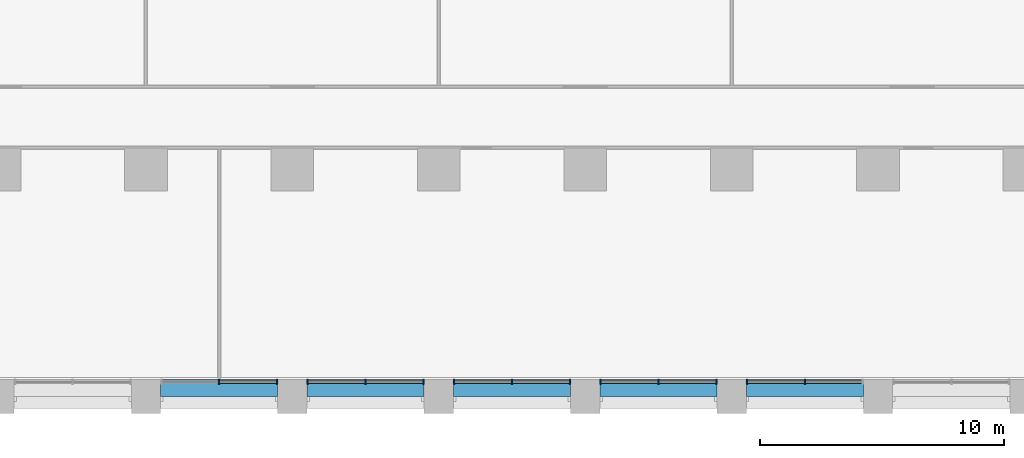
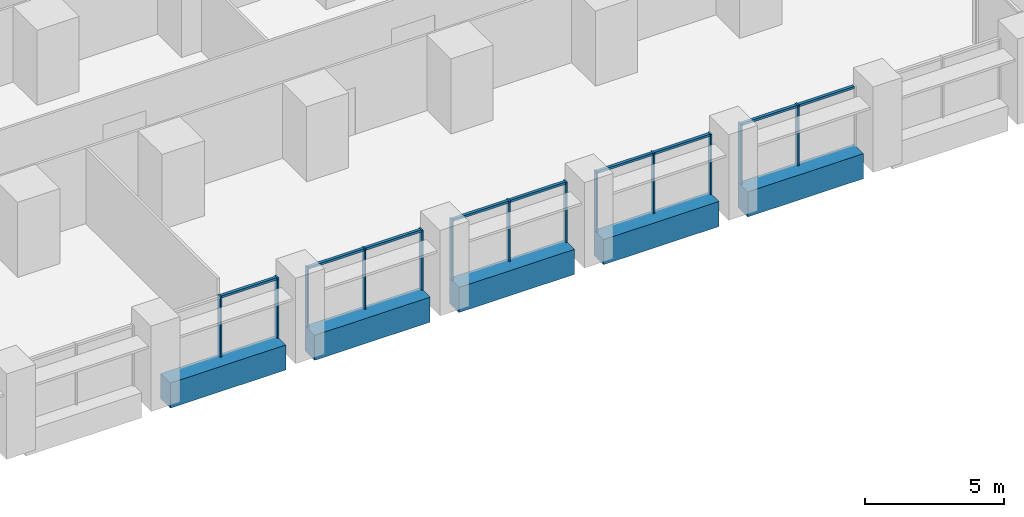
# One storey, part 3 of 18: 22 members, 5 beams, 5 elements without a shape of their own.
"""IFC4 building model written with IfcOpenShell, lengths in metres."""

from ifc_helpers import new_model, si_unit, direction, frame, origin, origin_2d, place, context, subcontext, project, spatial, rectangle, extrude, material, material_profile, profile_set, type_object, element, aggregate, save


model = new_model("IFC4")

# Units and contexts
model_context = context("Model", 3, precision=1e-05, world=origin(), true_north=direction((0.0, 1.0)))
body_context = subcontext(model_context, "Body", "Model", "MODEL_VIEW")
ifc_project = project(units=[si_unit("LENGTHUNIT", "METRE"), si_unit("AREAUNIT", "SQUARE_METRE"), si_unit("VOLUMEUNIT", "CUBIC_METRE"), si_unit("PLANEANGLEUNIT", "RADIAN"), si_unit("MASSUNIT", "GRAM", prefix="KILO")], contexts=[model_context])

# Site, building, storey
site_placement = place(None, origin())
site = spatial("IfcSite", under=ifc_project, at=site_placement, CompositionType="ELEMENT")
building_placement = place(site_placement, origin())
building = spatial("IfcBuilding", under=site, at=building_placement, Name="Calvaro Tower", CompositionType="ELEMENT")
storey_placement = place(building_placement, frame((0.0, 0.0, 41.25)))
storey = spatial("IfcBuildingStorey", under=building, at=storey_placement, Name="L09", CompositionType="ELEMENT", Elevation=41.25)

# Curtain wall, members
ifc_material_1 = material(Name="Anodised aluminium", Category="aluminium")
curtain_wall_type = type_object("IfcCurtainWallType", Name="Office curtain wall, lower zone", PredefinedType="NOTDEFINED", material=ifc_material_1)
curtain_wall_1_placement = place(storey_placement, origin())
curtain_wall_1 = element("IfcCurtainWall", 1, at=curtain_wall_1_placement, inside=storey, type_object=curtain_wall_type, Name="CW1 south curtain wall", PredefinedType="NOTDEFINED")
ifc_material_2 = material(Name="Anodised aluminium", Category="aluminium")
ifc_material_profile_1 = material_profile(ifc_material_2, rectangle(XDim=0.199951171875, YDim=0.06005859375, at=origin_2d()), Name="Mullion S1 60 x 200")
ifc_profile_set_1 = profile_set([ifc_material_profile_1], Name="Anodised aluminium")
member_type_1 = type_object("IfcMemberType", Name="Mullion S1 60 x 200", PredefinedType="MULLION", material=ifc_profile_set_1)
member_1_placement = place(storey_placement, frame((39.0, 1.300048828125, 0.0), z_axis=(0.0, 0.0, 1.0), x_axis=(0.0, 1.0, 0.0)))
member_1 = element("IfcMember", 2, at=member_1_placement, type_object=member_type_1, Name="CW1 mullion 2", PredefinedType="MULLION", context=body_context, shape_type="SweptSolid", body=[
    extrude(rectangle(XDim=0.199951171875, YDim=0.06005859375, at=origin_2d()), origin(), (0.0, 0.0, 1.0), 2.64990234375),
])
member_2_placement = place(storey_placement, frame((41.3701171875, 1.300048828125, 0.0), z_axis=(0.0, 0.0, 1.0), x_axis=(0.0, 1.0, 0.0)))
member_2 = element("IfcMember", 3, at=member_2_placement, type_object=member_type_1, Name="CW1 mullion 3", PredefinedType="MULLION", context=body_context, shape_type="SweptSolid", body=[
    extrude(rectangle(XDim=0.199951171875, YDim=0.06005859375, at=origin_2d()), origin(), (0.0, 0.0, 1.0), 2.64990234375),
])

curtain_wall_2_placement = place(storey_placement, origin())
curtain_wall_2 = element("IfcCurtainWall", 4, at=curtain_wall_2_placement, inside=storey, type_object=curtain_wall_type, Name="CW1 south curtain wall", PredefinedType="NOTDEFINED")
member_3_placement = place(storey_placement, frame((42.6298828125, 1.300048828125, 0.0), z_axis=(0.0, 0.0, 1.0), x_axis=(0.0, 1.0, 0.0)))
member_3 = element("IfcMember", 5, at=member_3_placement, type_object=member_type_1, Name="CW1 mullion 1", PredefinedType="MULLION", context=body_context, shape_type="SweptSolid", body=[
    extrude(rectangle(XDim=0.199951171875, YDim=0.06005859375, at=origin_2d()), origin(), (0.0, 0.0, 1.0), 2.64990234375),
])
member_4_placement = place(storey_placement, frame((45.0, 1.300048828125, 0.0), z_axis=(0.0, 0.0, 1.0), x_axis=(0.0, 1.0, 0.0)))
member_4 = element("IfcMember", 6, at=member_4_placement, type_object=member_type_1, Name="CW1 mullion 2", PredefinedType="MULLION", context=body_context, shape_type="SweptSolid", body=[
    extrude(rectangle(XDim=0.199951171875, YDim=0.06005859375, at=origin_2d()), origin(), (0.0, 0.0, 1.0), 2.64990234375),
])
member_5_placement = place(storey_placement, frame((47.3701171875, 1.300048828125, 0.0), z_axis=(0.0, 0.0, 1.0), x_axis=(0.0, 1.0, 0.0)))
member_5 = element("IfcMember", 7, at=member_5_placement, type_object=member_type_1, Name="CW1 mullion 3", PredefinedType="MULLION", context=body_context, shape_type="SweptSolid", body=[
    extrude(rectangle(XDim=0.199951171875, YDim=0.06005859375, at=origin_2d()), origin(), (0.0, 0.0, 1.0), 2.64990234375),
])

curtain_wall_3_placement = place(storey_placement, origin())
curtain_wall_3 = element("IfcCurtainWall", 8, at=curtain_wall_3_placement, inside=storey, type_object=curtain_wall_type, Name="CW1 south curtain wall", PredefinedType="NOTDEFINED")
member_6_placement = place(storey_placement, frame((48.6298828125, 1.300048828125, 0.0), z_axis=(0.0, 0.0, 1.0), x_axis=(0.0, 1.0, 0.0)))
member_6 = element("IfcMember", 9, at=member_6_placement, type_object=member_type_1, Name="CW1 mullion 1", PredefinedType="MULLION", context=body_context, shape_type="SweptSolid", body=[
    extrude(rectangle(XDim=0.199951171875, YDim=0.06005859375, at=origin_2d()), origin(), (0.0, 0.0, 1.0), 2.64990234375),
])
member_7_placement = place(storey_placement, frame((51.0, 1.300048828125, 0.0), z_axis=(0.0, 0.0, 1.0), x_axis=(0.0, 1.0, 0.0)))
member_7 = element("IfcMember", 10, at=member_7_placement, type_object=member_type_1, Name="CW1 mullion 2", PredefinedType="MULLION", context=body_context, shape_type="SweptSolid", body=[
    extrude(rectangle(XDim=0.199951171875, YDim=0.06005859375, at=origin_2d()), origin(), (0.0, 0.0, 1.0), 2.64990234375),
])
member_8_placement = place(storey_placement, frame((53.3701171875, 1.300048828125, 0.0), z_axis=(0.0, 0.0, 1.0), x_axis=(0.0, 1.0, 0.0)))
member_8 = element("IfcMember", 11, at=member_8_placement, type_object=member_type_1, Name="CW1 mullion 3", PredefinedType="MULLION", context=body_context, shape_type="SweptSolid", body=[
    extrude(rectangle(XDim=0.199951171875, YDim=0.06005859375, at=origin_2d()), origin(), (0.0, 0.0, 1.0), 2.64990234375),
])

curtain_wall_4_placement = place(storey_placement, origin())
curtain_wall_4 = element("IfcCurtainWall", 12, at=curtain_wall_4_placement, inside=storey, type_object=curtain_wall_type, Name="CW1 south curtain wall", PredefinedType="NOTDEFINED")
member_9_placement = place(storey_placement, frame((54.6298828125, 1.300048828125, 0.0), z_axis=(0.0, 0.0, 1.0), x_axis=(0.0, 1.0, 0.0)))
member_9 = element("IfcMember", 13, at=member_9_placement, type_object=member_type_1, Name="CW1 mullion 1", PredefinedType="MULLION", context=body_context, shape_type="SweptSolid", body=[
    extrude(rectangle(XDim=0.199951171875, YDim=0.06005859375, at=origin_2d()), origin(), (0.0, 0.0, 1.0), 2.64990234375),
])
member_10_placement = place(storey_placement, frame((57.0, 1.300048828125, 0.0), z_axis=(0.0, 0.0, 1.0), x_axis=(0.0, 1.0, 0.0)))
member_10 = element("IfcMember", 14, at=member_10_placement, type_object=member_type_1, Name="CW1 mullion 2", PredefinedType="MULLION", context=body_context, shape_type="SweptSolid", body=[
    extrude(rectangle(XDim=0.199951171875, YDim=0.06005859375, at=origin_2d()), origin(), (0.0, 0.0, 1.0), 2.64990234375),
])
member_11_placement = place(storey_placement, frame((59.3701171875, 1.300048828125, 0.0), z_axis=(0.0, 0.0, 1.0), x_axis=(0.0, 1.0, 0.0)))
member_11 = element("IfcMember", 15, at=member_11_placement, type_object=member_type_1, Name="CW1 mullion 3", PredefinedType="MULLION", context=body_context, shape_type="SweptSolid", body=[
    extrude(rectangle(XDim=0.199951171875, YDim=0.06005859375, at=origin_2d()), origin(), (0.0, 0.0, 1.0), 2.64990234375),
])

curtain_wall_5_placement = place(storey_placement, origin())
curtain_wall_5 = element("IfcCurtainWall", 16, at=curtain_wall_5_placement, inside=storey, type_object=curtain_wall_type, Name="CW1 south curtain wall", PredefinedType="NOTDEFINED")
member_12_placement = place(storey_placement, frame((60.6298828125, 1.300048828125, 0.0), z_axis=(0.0, 0.0, 1.0), x_axis=(0.0, 1.0, 0.0)))
member_12 = element("IfcMember", 17, at=member_12_placement, type_object=member_type_1, Name="CW1 mullion 1", PredefinedType="MULLION", context=body_context, shape_type="SweptSolid", body=[
    extrude(rectangle(XDim=0.199951171875, YDim=0.06005859375, at=origin_2d()), origin(), (0.0, 0.0, 1.0), 2.64990234375),
])
member_13_placement = place(storey_placement, frame((63.0, 1.300048828125, 0.0), z_axis=(0.0, 0.0, 1.0), x_axis=(0.0, 1.0, 0.0)))
member_13 = element("IfcMember", 18, at=member_13_placement, type_object=member_type_1, Name="CW1 mullion 2", PredefinedType="MULLION", context=body_context, shape_type="SweptSolid", body=[
    extrude(rectangle(XDim=0.199951171875, YDim=0.06005859375, at=origin_2d()), origin(), (0.0, 0.0, 1.0), 2.64990234375),
])

# Beams
ifc_material_3 = material(Name="Concrete C50/60 precast", Category="concrete")
ifc_material_profile_2 = material_profile(ifc_material_3, rectangle(XDim=0.699951171875, YDim=1.10009765625, at=origin_2d()), Name="RC 700x1100")
ifc_profile_set_2 = profile_set([ifc_material_profile_2], Name="Concrete C50/60 precast")
beam_type = type_object("IfcBeamType", Name="Spandrel beam 700x1100 C50/60", PredefinedType="SPANDREL", material=ifc_profile_set_2)
for number, where, z_axis, x_axis, name in (
    (19, (36.60009765625, 1.050048828125, -0.550048828125), (1.0, 0.0, 0.0), (0.0, 1.0, 0.0), "Spandrel beam"),
    (20, (42.60009765625, 1.050048828125, -0.550048828125), (1.0, 0.0, 0.0), (0.0, 1.0, 0.0), "Spandrel beam"),
    (21, (48.60009765625, 1.050048828125, -0.550048828125), (1.0, 0.0, 0.0), (0.0, 1.0, 0.0), "Spandrel beam"),
    (22, (54.60009765625, 1.050048828125, -0.550048828125), (1.0, 0.0, 0.0), (0.0, 1.0, 0.0), "Spandrel beam"),
    (23, (60.60009765625, 1.050048828125, -0.550048828125), (1.0, 0.0, 0.0), (0.0, 1.0, 0.0), "Spandrel beam"),
):
    element("IfcBeam", number, at=place(storey_placement, frame(where, z_axis=z_axis, x_axis=x_axis)), inside=storey, type_object=beam_type, Name=name, PredefinedType="SPANDREL", context=body_context, shape_type="SweptSolid", body=[
        extrude(rectangle(XDim=0.699951171875, YDim=1.10009765625, at=origin_2d()), origin(), (0.0, 0.0, 1.0), 4.7998046875),
    ])

# Member
ifc_material_4 = material(Name="Anodised aluminium", Category="aluminium")
ifc_material_profile_3 = material_profile(ifc_material_4, rectangle(XDim=0.1201171875, YDim=0.10009765625, at=origin_2d()), Name="Transom S1 100 x 120")
ifc_profile_set_3 = profile_set([ifc_material_profile_3], Name="Anodised aluminium")
member_type_2 = type_object("IfcMemberType", Name="Transom S1 100 x 120", PredefinedType="USERDEFINED", material=ifc_profile_set_3)
member_14_placement = place(storey_placement, frame((39.030029296875, 1.300048828125, 2.60009765625), z_axis=(1.0, 0.0, 0.0), x_axis=(0.0, 1.0, 0.0)))
member_14 = element("IfcMember", 24, at=member_14_placement, type_object=member_type_2, Name="CW1 transom 2.1", ObjectType="TRANSOM", PredefinedType="USERDEFINED", context=body_context, shape_type="SweptSolid", body=[
    extrude(rectangle(XDim=0.1201171875, YDim=0.10009765625, at=origin_2d()), origin(), (0.0, 0.0, 1.0), 2.31005859375),
])

aggregate(curtain_wall_1, [member_1, member_2, member_14])

member_15_placement = place(storey_placement, frame((42.659912109375, 1.300048828125, 2.60009765625), z_axis=(1.0, 0.0, 0.0), x_axis=(0.0, 1.0, 0.0)))
member_15 = element("IfcMember", 25, at=member_15_placement, type_object=member_type_2, Name="CW1 transom 1.1", ObjectType="TRANSOM", PredefinedType="USERDEFINED", context=body_context, shape_type="SweptSolid", body=[
    extrude(rectangle(XDim=0.1201171875, YDim=0.10009765625, at=origin_2d()), origin(), (0.0, 0.0, 1.0), 2.31005859375),
])

member_16_placement = place(storey_placement, frame((45.030029296875, 1.300048828125, 2.60009765625), z_axis=(1.0, 0.0, 0.0), x_axis=(0.0, 1.0, 0.0)))
member_16 = element("IfcMember", 26, at=member_16_placement, type_object=member_type_2, Name="CW1 transom 2.1", ObjectType="TRANSOM", PredefinedType="USERDEFINED", context=body_context, shape_type="SweptSolid", body=[
    extrude(rectangle(XDim=0.1201171875, YDim=0.10009765625, at=origin_2d()), origin(), (0.0, 0.0, 1.0), 2.31005859375),
])

aggregate(curtain_wall_2, [member_3, member_4, member_5, member_15, member_16])

member_17_placement = place(storey_placement, frame((48.659912109375, 1.300048828125, 2.60009765625), z_axis=(1.0, 0.0, 0.0), x_axis=(0.0, 1.0, 0.0)))
member_17 = element("IfcMember", 27, at=member_17_placement, type_object=member_type_2, Name="CW1 transom 1.1", ObjectType="TRANSOM", PredefinedType="USERDEFINED", context=body_context, shape_type="SweptSolid", body=[
    extrude(rectangle(XDim=0.1201171875, YDim=0.10009765625, at=origin_2d()), origin(), (0.0, 0.0, 1.0), 2.31005859375),
])

member_18_placement = place(storey_placement, frame((51.030029296875, 1.300048828125, 2.60009765625), z_axis=(1.0, 0.0, 0.0), x_axis=(0.0, 1.0, 0.0)))
member_18 = element("IfcMember", 28, at=member_18_placement, type_object=member_type_2, Name="CW1 transom 2.1", ObjectType="TRANSOM", PredefinedType="USERDEFINED", context=body_context, shape_type="SweptSolid", body=[
    extrude(rectangle(XDim=0.1201171875, YDim=0.10009765625, at=origin_2d()), origin(), (0.0, 0.0, 1.0), 2.31005859375),
])

aggregate(curtain_wall_3, [member_6, member_7, member_8, member_17, member_18])

member_19_placement = place(storey_placement, frame((54.659912109375, 1.300048828125, 2.60009765625), z_axis=(1.0, 0.0, 0.0), x_axis=(0.0, 1.0, 0.0)))
member_19 = element("IfcMember", 29, at=member_19_placement, type_object=member_type_2, Name="CW1 transom 1.1", ObjectType="TRANSOM", PredefinedType="USERDEFINED", context=body_context, shape_type="SweptSolid", body=[
    extrude(rectangle(XDim=0.1201171875, YDim=0.10009765625, at=origin_2d()), origin(), (0.0, 0.0, 1.0), 2.31005859375),
])

member_20_placement = place(storey_placement, frame((57.030029296875, 1.300048828125, 2.60009765625), z_axis=(1.0, 0.0, 0.0), x_axis=(0.0, 1.0, 0.0)))
member_20 = element("IfcMember", 30, at=member_20_placement, type_object=member_type_2, Name="CW1 transom 2.1", ObjectType="TRANSOM", PredefinedType="USERDEFINED", context=body_context, shape_type="SweptSolid", body=[
    extrude(rectangle(XDim=0.1201171875, YDim=0.10009765625, at=origin_2d()), origin(), (0.0, 0.0, 1.0), 2.31005859375),
])

aggregate(curtain_wall_4, [member_9, member_10, member_11, member_19, member_20])

member_21_placement = place(storey_placement, frame((60.659912109375, 1.300048828125, 2.60009765625), z_axis=(1.0, 0.0, 0.0), x_axis=(0.0, 1.0, 0.0)))
member_21 = element("IfcMember", 31, at=member_21_placement, type_object=member_type_2, Name="CW1 transom 1.1", ObjectType="TRANSOM", PredefinedType="USERDEFINED", context=body_context, shape_type="SweptSolid", body=[
    extrude(rectangle(XDim=0.1201171875, YDim=0.10009765625, at=origin_2d()), origin(), (0.0, 0.0, 1.0), 2.31005859375),
])

member_22_placement = place(storey_placement, frame((63.030029296875, 1.300048828125, 2.60009765625), z_axis=(1.0, 0.0, 0.0), x_axis=(0.0, 1.0, 0.0)))
member_22 = element("IfcMember", 32, at=member_22_placement, type_object=member_type_2, Name="CW1 transom 2.1", ObjectType="TRANSOM", PredefinedType="USERDEFINED", context=body_context, shape_type="SweptSolid", body=[
    extrude(rectangle(XDim=0.1201171875, YDim=0.10009765625, at=origin_2d()), origin(), (0.0, 0.0, 1.0), 2.31005859375),
])

aggregate(curtain_wall_5, [member_12, member_13, member_21, member_22])

save(model, "model.ifc")
